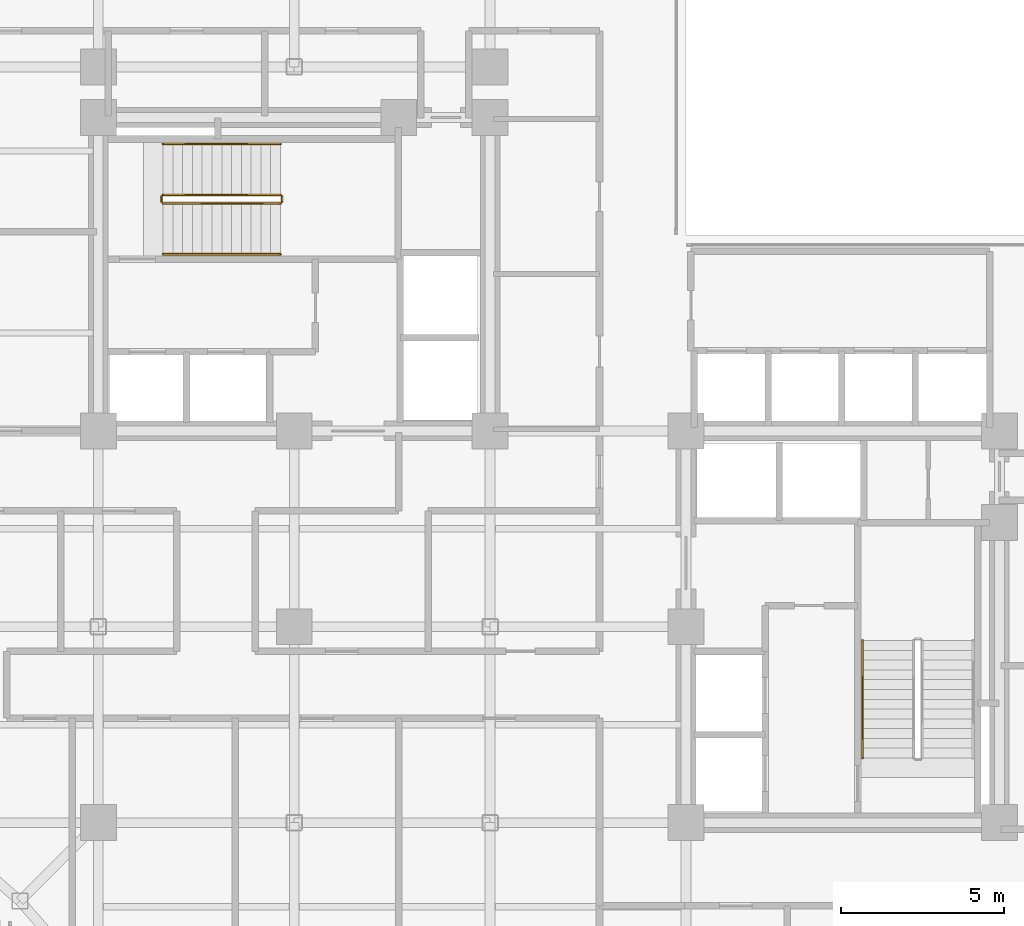
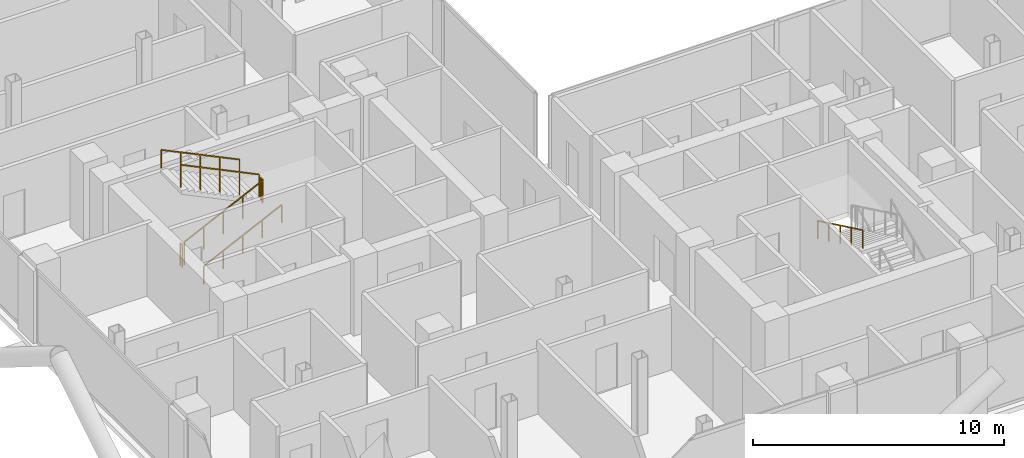
# One storey, part 26 of 28: 7 railings.
"""IFC4 building model written with IfcOpenShell, lengths in metres."""

from ifc_helpers import new_model, si_unit, direction, frame, origin, origin_2d, place, context, subcontext, project, spatial, rectangle, extrude, material, type_object, element, save


model = new_model("IFC4")

# Units and contexts
model_context = context("Model", 3, precision=1e-05, world=origin(), true_north=direction((0.0, 1.0)))
body_context = subcontext(model_context, "Body", "Model", "MODEL_VIEW")
ifc_project = project(units=[si_unit("LENGTHUNIT", "METRE"), si_unit("AREAUNIT", "SQUARE_METRE"), si_unit("VOLUMEUNIT", "CUBIC_METRE"), si_unit("PLANEANGLEUNIT", "RADIAN"), si_unit("MASSUNIT", "GRAM", prefix="KILO"), si_unit("THERMODYNAMICTEMPERATUREUNIT", "KELVIN"), si_unit("POWERUNIT", "WATT")], contexts=[model_context])

# Site, building, storey
site_placement = place(None, origin())
site = spatial("IfcSite", under=ifc_project, at=site_placement, CompositionType="ELEMENT")
building_placement = place(site_placement, origin())
building = spatial("IfcBuilding", under=site, at=building_placement, Name="Svarakhadi Broadcast Tower", CompositionType="ELEMENT")
storey_placement = place(building_placement, frame((0.0, 0.0, 123.14990234375)))
storey = spatial("IfcBuildingStorey", under=building, at=storey_placement, Name="L29", CompositionType="ELEMENT", Elevation=123.14990234375)

# Railings
ifc_material = material(Name="Anodised Bronze Aluminium AA 6063-T6", Category="aluminium")
railing_type_1 = type_object("IfcRailingType", Name="Guard_Stair_GR01", PredefinedType="GUARDRAIL", material=ifc_material)
railing_1_placement = place(storey_placement, frame((7.97998046875, 24.969970703125, 0.144287109375)))
element("IfcRailing", 1, at=railing_1_placement, inside=storey, type_object=railing_type_1, Name="L29 ST-01 stair guard 1", PredefinedType="GUARDRAIL", context=body_context, shape_type="SweptSolid", body=[
    extrude(rectangle(XDim=0.048095703125, YDim=0.048095703125, at=origin_2d()), frame((0.0, 0.0, 1.09619140625), z_axis=(0.901262522062, 0.0, 0.433273431364), x_axis=(0.0, 1.0, 0.0)), (0.0, 0.0, 1.0), 3.994384765625),
    extrude(rectangle(XDim=0.0419921875, YDim=0.0419921875, at=origin_2d()), origin(), (0.0, 0.0, 1.0), 1.072021484375),
    extrude(rectangle(XDim=0.0419921875, YDim=0.0419921875, at=origin_2d()), frame((0.89990234375, 0.0, 0.4326171875)), (0.0, 0.0, 1.0), 1.072021484375),
    extrude(rectangle(XDim=0.0419921875, YDim=0.0419921875, at=origin_2d()), frame((1.800048828125, 0.0, 0.865234375)), (0.0, 0.0, 1.0), 1.072021484375),
    extrude(rectangle(XDim=0.0419921875, YDim=0.0419921875, at=origin_2d()), frame((2.7001953125, 0.0, 1.298095703125)), (0.0, 0.0, 1.0), 1.072021484375),
    extrude(rectangle(XDim=0.0419921875, YDim=0.0419921875, at=origin_2d()), frame((3.60009765625, 0.0, 1.730712890625)), (0.0, 0.0, 1.0), 1.072021484375),
])
railing_2_placement = place(storey_placement, frame((11.6298828125, 25.02001953125, 1.875)))
element("IfcRailing", 2, at=railing_2_placement, inside=storey, type_object=railing_type_1, Name="L29 ST-01 stair guard 2", PredefinedType="GUARDRAIL", context=body_context, shape_type="SweptSolid", body=[
    extrude(rectangle(XDim=0.048095703125, YDim=0.048095703125, at=origin_2d()), frame((0.0, 0.0, 1.09619140625), z_axis=(0.0, 1.0, 0.0), x_axis=(-1.0, 0.0, 0.0)), (0.0, 0.0, 1.0), 0.159912109375),
    extrude(rectangle(XDim=0.0419921875, YDim=0.0419921875, at=origin_2d()), origin(), (0.0, 0.0, 1.0), 1.072021484375),
    extrude(rectangle(XDim=0.0419921875, YDim=0.0419921875, at=origin_2d()), frame((0.0, 0.159912109375, 0.0)), (0.0, 0.0, 1.0), 1.072021484375),
])
railing_3_placement = place(storey_placement, frame((11.580078125, 25.22998046875, 2.019287109375)))
element("IfcRailing", 3, at=railing_3_placement, inside=storey, type_object=railing_type_1, Name="L29 ST-01 stair guard 3", PredefinedType="GUARDRAIL", context=body_context, shape_type="SweptSolid", body=[
    extrude(rectangle(XDim=0.048095703125, YDim=0.048095703125, at=origin_2d()), frame((0.0, 0.0, 1.09619140625), z_axis=(-0.901262522062, 0.0, 0.433273431364), x_axis=(0.0, -1.0, 0.0)), (0.0, 0.0, 1.0), 3.994384765625),
    extrude(rectangle(XDim=0.0419921875, YDim=0.0419921875, at=origin_2d()), origin(), (0.0, 0.0, 1.0), 1.072021484375),
    extrude(rectangle(XDim=0.0419921875, YDim=0.0419921875, at=origin_2d()), frame((-0.89990234375, 0.0, 0.4326171875)), (0.0, 0.0, 1.0), 1.072021484375),
    extrude(rectangle(XDim=0.0419921875, YDim=0.0419921875, at=origin_2d()), frame((-1.800048828125, 0.0, 0.865234375)), (0.0, 0.0, 1.0), 1.072021484375),
    extrude(rectangle(XDim=0.0419921875, YDim=0.0419921875, at=origin_2d()), frame((-2.7001953125, 0.0, 1.298095703125)), (0.0, 0.0, 1.0), 1.072021484375),
    extrude(rectangle(XDim=0.0419921875, YDim=0.0419921875, at=origin_2d()), frame((-3.60009765625, 0.0, 1.730712890625)), (0.0, 0.0, 1.0), 1.072021484375),
])
railing_4_placement = place(storey_placement, frame((7.929931640625, 25.02001953125, 0.0)))
element("IfcRailing", 4, at=railing_4_placement, inside=storey, type_object=railing_type_1, Name="L29 ST-01 stair guard 4", PredefinedType="GUARDRAIL", context=body_context, shape_type="SweptSolid", body=[
    extrude(rectangle(XDim=0.048095703125, YDim=0.048095703125, at=origin_2d()), frame((0.0, 0.0, 1.09619140625), z_axis=(0.0, 1.0, 0.0), x_axis=(-1.0, 0.0, 0.0)), (0.0, 0.0, 1.0), 0.159912109375),
    extrude(rectangle(XDim=0.0419921875, YDim=0.0419921875, at=origin_2d()), origin(), (0.0, 0.0, 1.0), 1.072021484375),
    extrude(rectangle(XDim=0.0419921875, YDim=0.0419921875, at=origin_2d()), frame((0.0, 0.159912109375, 0.0)), (0.0, 0.0, 1.0), 1.072021484375),
])
railing_type_2 = type_object("IfcRailingType", Name="Handrail_Stair_HR01", PredefinedType="HANDRAIL", material=ifc_material)
railing_5_placement = place(storey_placement, frame((7.97998046875, 23.409912109375, 0.144287109375)))
element("IfcRailing", 5, at=railing_5_placement, inside=storey, type_object=railing_type_2, Name="L29 ST-01 stair handrail 1", PredefinedType="HANDRAIL", context=body_context, shape_type="SweptSolid", body=[
    extrude(rectangle(XDim=0.048095703125, YDim=0.048095703125, at=origin_2d()), frame((0.0, 0.0, 0.8759765625), z_axis=(0.901262522062, 0.0, 0.433273431364), x_axis=(0.0, 1.0, 0.0)), (0.0, 0.0, 1.0), 3.994384765625),
    extrude(rectangle(XDim=0.0419921875, YDim=0.0419921875, at=origin_2d()), origin(), (0.0, 0.0, 1.0), 0.851806640625),
    extrude(rectangle(XDim=0.0419921875, YDim=0.0419921875, at=origin_2d()), frame((0.89990234375, 0.0, 0.4326171875)), (0.0, 0.0, 1.0), 0.851806640625),
    extrude(rectangle(XDim=0.0419921875, YDim=0.0419921875, at=origin_2d()), frame((1.800048828125, 0.0, 0.865234375)), (0.0, 0.0, 1.0), 0.851806640625),
    extrude(rectangle(XDim=0.0419921875, YDim=0.0419921875, at=origin_2d()), frame((2.7001953125, 0.0, 1.298095703125)), (0.0, 0.0, 1.0), 0.851806640625),
    extrude(rectangle(XDim=0.0419921875, YDim=0.0419921875, at=origin_2d()), frame((3.60009765625, 0.0, 1.730712890625)), (0.0, 0.0, 1.0), 0.851806640625),
])
railing_6_placement = place(storey_placement, frame((11.580078125, 26.7900390625, 2.019287109375)))
element("IfcRailing", 6, at=railing_6_placement, inside=storey, type_object=railing_type_2, Name="L29 ST-01 stair handrail 2", PredefinedType="HANDRAIL", context=body_context, shape_type="SweptSolid", body=[
    extrude(rectangle(XDim=0.048095703125, YDim=0.048095703125, at=origin_2d()), frame((0.0, 0.0, 0.8759765625), z_axis=(-0.901262522062, 0.0, 0.433273431364), x_axis=(0.0, -1.0, 0.0)), (0.0, 0.0, 1.0), 3.994384765625),
    extrude(rectangle(XDim=0.0419921875, YDim=0.0419921875, at=origin_2d()), origin(), (0.0, 0.0, 1.0), 0.851806640625),
    extrude(rectangle(XDim=0.0419921875, YDim=0.0419921875, at=origin_2d()), frame((-0.89990234375, 0.0, 0.4326171875)), (0.0, 0.0, 1.0), 0.851806640625),
    extrude(rectangle(XDim=0.0419921875, YDim=0.0419921875, at=origin_2d()), frame((-1.800048828125, 0.0, 0.865234375)), (0.0, 0.0, 1.0), 0.851806640625),
    extrude(rectangle(XDim=0.0419921875, YDim=0.0419921875, at=origin_2d()), frame((-2.7001953125, 0.0, 1.298095703125)), (0.0, 0.0, 1.0), 0.851806640625),
    extrude(rectangle(XDim=0.0419921875, YDim=0.0419921875, at=origin_2d()), frame((-3.60009765625, 0.0, 1.730712890625)), (0.0, 0.0, 1.0), 0.851806640625),
])
railing_7_placement = place(storey_placement, frame((29.409912109375, 11.580078125, 2.019287109375)))
element("IfcRailing", 7, at=railing_7_placement, inside=storey, type_object=railing_type_2, Name="L29 ST-02 stair handrail 2", PredefinedType="HANDRAIL", context=body_context, shape_type="SweptSolid", body=[
    extrude(rectangle(XDim=0.048095703125, YDim=0.048095703125, at=origin_2d()), frame((0.0, 0.0, 0.8759765625), z_axis=(0.0, -0.901262522062, 0.433273431364), x_axis=(1.0, 0.0, 0.0)), (0.0, 0.0, 1.0), 3.994384765625),
    extrude(rectangle(XDim=0.0419921875, YDim=0.0419921875, at=origin_2d()), origin(), (0.0, 0.0, 1.0), 0.851806640625),
    extrude(rectangle(XDim=0.0419921875, YDim=0.0419921875, at=origin_2d()), frame((0.0, -0.89990234375, 0.4326171875)), (0.0, 0.0, 1.0), 0.851806640625),
    extrude(rectangle(XDim=0.0419921875, YDim=0.0419921875, at=origin_2d()), frame((0.0, -1.800048828125, 0.865234375)), (0.0, 0.0, 1.0), 0.851806640625),
    extrude(rectangle(XDim=0.0419921875, YDim=0.0419921875, at=origin_2d()), frame((0.0, -2.7001953125, 1.298095703125)), (0.0, 0.0, 1.0), 0.851806640625),
    extrude(rectangle(XDim=0.0419921875, YDim=0.0419921875, at=origin_2d()), frame((0.0, -3.60009765625, 1.730712890625)), (0.0, 0.0, 1.0), 0.851806640625),
])

save(model, "model.ifc")
